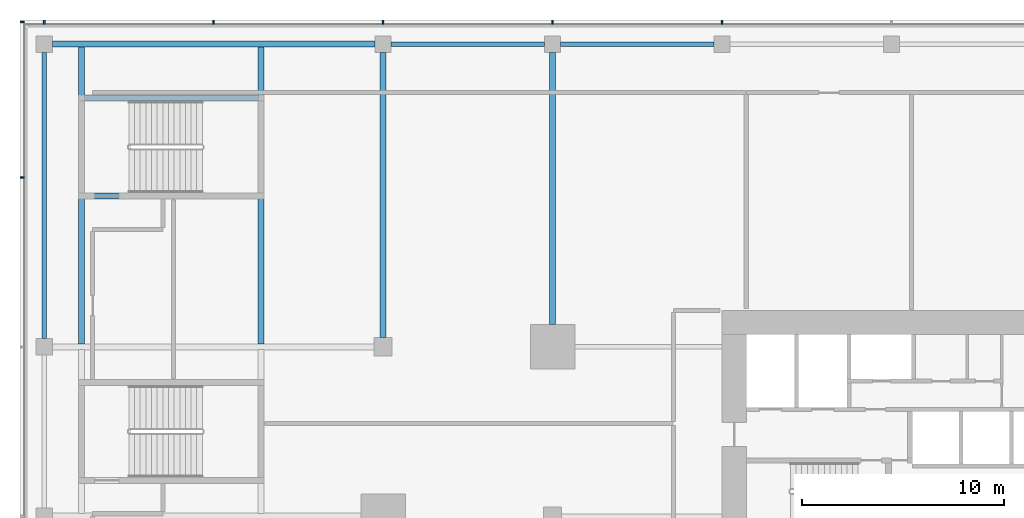
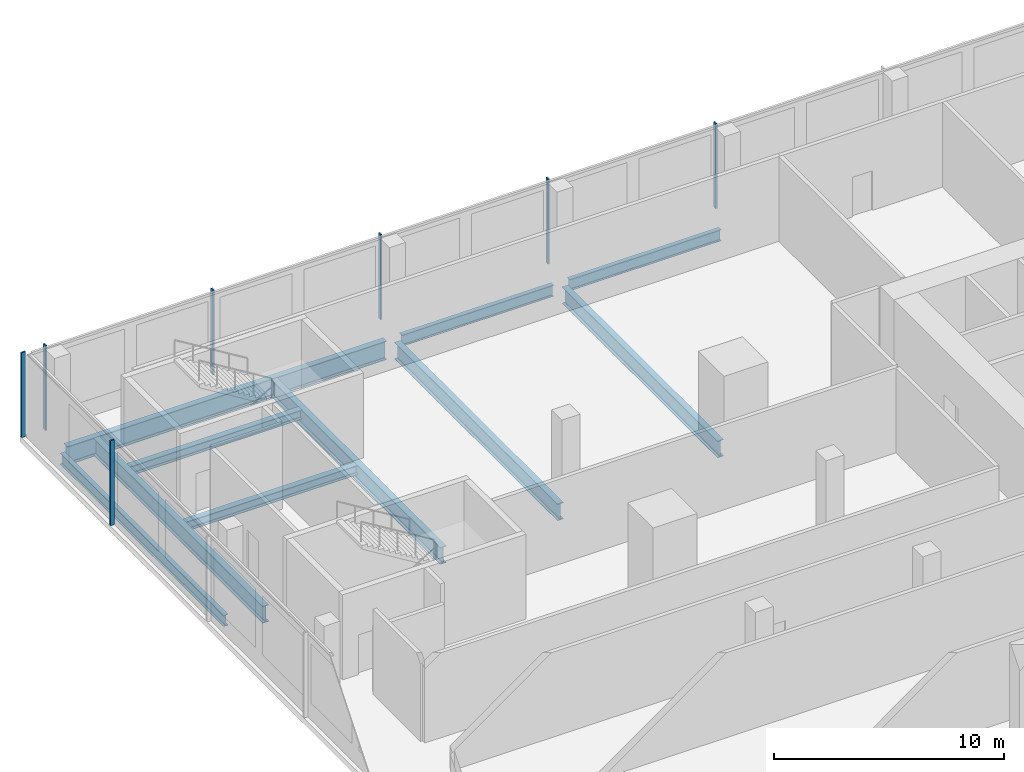
# One storey, part 17 of 39: 10 beams, 7 members, 2 elements without a shape of their own.
"""IFC4 building model written with IfcOpenShell, lengths in metres."""

from ifc_helpers import new_model, si_unit, direction, frame, origin, origin_2d, place, context, subcontext, project, spatial, rectangle, i_section, extrude, material, material_profile, profile_set, type_object, element, aggregate, save


model = new_model("IFC4")

# Units and contexts
model_context = context("Model", 3, precision=1e-05, world=origin(), true_north=direction((0.0, 1.0)))
body_context = subcontext(model_context, "Body", "Model", "MODEL_VIEW")
ifc_project = project(units=[si_unit("LENGTHUNIT", "METRE"), si_unit("AREAUNIT", "SQUARE_METRE"), si_unit("VOLUMEUNIT", "CUBIC_METRE"), si_unit("PLANEANGLEUNIT", "RADIAN"), si_unit("MASSUNIT", "GRAM", prefix="KILO")], contexts=[model_context])

# Site, building, storey
site_placement = place(None, origin())
site = spatial("IfcSite", under=ifc_project, at=site_placement, CompositionType="ELEMENT")
building_placement = place(site_placement, origin())
building = spatial("IfcBuilding", under=site, at=building_placement, Name="Saffron Gate Tower", CompositionType="ELEMENT")
storey_placement = place(building_placement, frame((0.0, 0.0, 14.39990234375)))
storey = spatial("IfcBuildingStorey", under=building, at=storey_placement, Name="L02", CompositionType="ELEMENT", Elevation=14.39990234375)

# Beams
ifc_material_1 = material(Name="Structural steel S355", Category="steel")
ifc_material_profile_1 = material_profile(ifc_material_1, i_section(OverallWidth=0.219970703125, OverallDepth=0.60009765625, WebThickness=0.011962890625, FlangeThickness=0.01904296875, FilletRadius=0.02392578125, at=origin_2d()))
ifc_profile_set_1 = profile_set([ifc_material_profile_1], Name="Structural steel S355")
beam_type_1 = type_object("IfcBeamType", Name="B15 IPE 600", PredefinedType="BEAM", material=ifc_profile_set_1)
beam_1_placement = place(storey_placement, frame((50.199951171875, 88.800048828125, -0.599853515625), z_axis=(1.0, 0.0, 0.0), x_axis=(0.0, 1.0, 0.0)))
element("IfcBeam", 1, at=beam_1_placement, inside=storey, type_object=beam_type_1, Name="B15 PODIUM EDGE BEAM", PredefinedType="BEAM", context=body_context, shape_type="SweptSolid", body=[
    extrude(i_section(OverallWidth=0.219970703125, OverallDepth=0.60009765625, WebThickness=0.011962890625, FlangeThickness=0.01904296875, FilletRadius=0.02392578125, at=origin_2d()), origin(), (0.0, 0.0, 1.0), 7.60009765625),
])
beam_2_placement = place(storey_placement, frame((58.60009765625, 88.800048828125, -0.599853515625), z_axis=(1.0, 0.0, 0.0), x_axis=(0.0, 1.0, 0.0)))
element("IfcBeam", 2, at=beam_2_placement, inside=storey, type_object=beam_type_1, Name="B15 PODIUM EDGE BEAM", PredefinedType="BEAM", context=body_context, shape_type="SweptSolid", body=[
    extrude(i_section(OverallWidth=0.219970703125, OverallDepth=0.60009765625, WebThickness=0.011962890625, FlangeThickness=0.01904296875, FilletRadius=0.02392578125, at=origin_2d()), origin(), (0.0, 0.0, 1.0), 7.599853515625),
])
beam_3_placement = place(storey_placement, frame((33.0, 74.199951171875, -0.599853515625), z_axis=(0.0, 1.0, 0.0), x_axis=(-1.0, 0.0, 0.0)))
element("IfcBeam", 3, at=beam_3_placement, inside=storey, type_object=beam_type_1, Name="B15 PODIUM EDGE BEAM", PredefinedType="BEAM", context=body_context, shape_type="SweptSolid", body=[
    extrude(i_section(OverallWidth=0.219970703125, OverallDepth=0.60009765625, WebThickness=0.011962890625, FlangeThickness=0.01904296875, FilletRadius=0.02392578125, at=origin_2d()), origin(), (0.0, 0.0, 1.0), 14.199951171875),
])
ifc_material_profile_2 = material_profile(ifc_material_1, i_section(OverallWidth=0.300048828125, OverallDepth=0.889892578125, WebThickness=0.01611328125, FlangeThickness=0.030029296875, FilletRadius=0.030029296875, at=origin_2d()))
ifc_profile_set_2 = profile_set([ifc_material_profile_2], Name="Structural steel S355")
beam_type_2 = type_object("IfcBeamType", Name="B19 HEA 900", PredefinedType="BEAM", material=ifc_profile_set_2)
beam_4_placement = place(storey_placement, frame((49.800048828125, 88.39990234375, -0.744873046875), z_axis=(0.0, -1.0, 0.0), x_axis=(1.0, 0.0, 0.0)))
element("IfcBeam", 4, at=beam_4_placement, inside=storey, type_object=beam_type_2, Name="B19 PODIUM RING GIRDER", PredefinedType="BEAM", context=body_context, shape_type="SweptSolid", body=[
    extrude(i_section(OverallWidth=0.300048828125, OverallDepth=0.889892578125, WebThickness=0.01611328125, FlangeThickness=0.030029296875, FilletRadius=0.030029296875, at=origin_2d()), origin(), (0.0, 0.0, 1.0), 14.14990234375),
])
beam_5_placement = place(storey_placement, frame((58.199951171875, 88.39990234375, -0.744873046875), z_axis=(0.0, -1.0, 0.0), x_axis=(1.0, 0.0, 0.0)))
element("IfcBeam", 5, at=beam_5_placement, inside=storey, type_object=beam_type_2, Name="B19 PODIUM RING GIRDER", PredefinedType="BEAM", context=body_context, shape_type="SweptSolid", body=[
    extrude(i_section(OverallWidth=0.300048828125, OverallDepth=0.889892578125, WebThickness=0.01611328125, FlangeThickness=0.030029296875, FilletRadius=0.030029296875, at=origin_2d()), origin(), (0.0, 0.0, 1.0), 13.5),
])
ifc_material_profile_3 = material_profile(ifc_material_1, i_section(OverallWidth=0.300048828125, OverallDepth=0.89990234375, WebThickness=0.0185546875, FlangeThickness=0.034912109375, FilletRadius=0.030029296875, at=origin_2d()))
ifc_profile_set_3 = profile_set([ifc_material_profile_3], Name="Structural steel S355")
beam_type_3 = type_object("IfcBeamType", Name="B20 HEB 900", PredefinedType="BEAM", material=ifc_profile_set_3)
for number, where, z_axis, x_axis, name in (
    (6, (34.85009765625, 73.93994140625, -0.75), (0.0, 1.0, 0.0), (-1.0, 0.0, 0.0), "B20 STAIR ENCLOSURE HEADER BEAM"),
    (7, (43.75, 73.93994140625, -0.75), (0.0, 1.0, 0.0), (-1.0, 0.0, 0.0), "B20 STAIR ENCLOSURE HEADER BEAM"),
):
    element("IfcBeam", number, at=place(storey_placement, frame(where, z_axis=z_axis, x_axis=x_axis)), inside=storey, type_object=beam_type_3, Name=name, PredefinedType="BEAM", context=body_context, shape_type="SweptSolid", body=[
        extrude(i_section(OverallWidth=0.300048828125, OverallDepth=0.89990234375, WebThickness=0.0185546875, FlangeThickness=0.034912109375, FilletRadius=0.030029296875, at=origin_2d()), origin(), (0.0, 0.0, 1.0), 14.719970703125),
    ])
ifc_material_profile_4 = material_profile(ifc_material_1, i_section(OverallWidth=0.300048828125, OverallDepth=0.989990234375, WebThickness=0.0166015625, FlangeThickness=0.031005859375, FilletRadius=0.030029296875, at=origin_2d()))
ifc_profile_set_4 = profile_set([ifc_material_profile_4], Name="Structural steel S355")
beam_type_4 = type_object("IfcBeamType", Name="B21 HEA 1000", PredefinedType="BEAM", material=ifc_profile_set_4)
beam_6_placement = place(storey_placement, frame((33.39990234375, 88.800048828125, -0.794921875), z_axis=(1.0, 0.0, 0.0), x_axis=(0.0, 1.0, 0.0)))
element("IfcBeam", 8, at=beam_6_placement, inside=storey, type_object=beam_type_4, Name="B21 PODIUM EDGE BEAM", PredefinedType="BEAM", context=body_context, shape_type="SweptSolid", body=[
    extrude(i_section(OverallWidth=0.300048828125, OverallDepth=0.989990234375, WebThickness=0.0166015625, FlangeThickness=0.031005859375, FilletRadius=0.030029296875, at=origin_2d()), origin(), (0.0, 0.0, 1.0), 16.0),
])
ifc_material_profile_5 = material_profile(ifc_material_1, i_section(OverallWidth=0.300048828125, OverallDepth=0.5, WebThickness=0.014404296875, FlangeThickness=0.028076171875, FilletRadius=0.027099609375, at=origin_2d()))
ifc_profile_set_5 = profile_set([ifc_material_profile_5], Name="Structural steel S355")
beam_type_5 = type_object("IfcBeamType", Name="B9 HEB 500", PredefinedType="BEAM", material=ifc_profile_set_5)
for number, where, z_axis, x_axis, name in (
    (9, (34.989990234375, 81.27490234375, -0.5498046875), (1.0, 0.0, 0.0), (0.0, 1.0, 0.0), "B9 STAIR ENCLOSURE TRIMMER BEAM"),
    (10, (34.989990234375, 86.125, -0.5498046875), (1.0, 0.0, 0.0), (0.0, 1.0, 0.0), "B9 STAIR ENCLOSURE TRIMMER BEAM"),
):
    element("IfcBeam", number, at=place(storey_placement, frame(where, z_axis=z_axis, x_axis=x_axis)), inside=storey, type_object=beam_type_5, Name=name, PredefinedType="BEAM", context=body_context, shape_type="SweptSolid", body=[
        extrude(i_section(OverallWidth=0.300048828125, OverallDepth=0.5, WebThickness=0.014404296875, FlangeThickness=0.028076171875, FilletRadius=0.027099609375, at=origin_2d()), origin(), (0.0, 0.0, 1.0), 8.6201171875),
    ])

# Curtain wall, members
ifc_material_2 = material(Name="Aluminium, bronze anodised", Category="aluminium")
curtain_wall_type = type_object("IfcCurtainWallType", Name="CWS5 curtain wall podium ring base", PredefinedType="NOTDEFINED", material=ifc_material_2)
curtain_wall_1_placement = place(storey_placement, origin())
curtain_wall_1 = element("IfcCurtainWall", 11, at=curtain_wall_1_placement, inside=storey, type_object=curtain_wall_type, Name="CWS5 run 3", PredefinedType="NOTDEFINED")
ifc_material_profile_6 = material_profile(ifc_material_2, rectangle(XDim=0.199951171875, YDim=0.080078125, at=origin_2d()))
ifc_profile_set_6 = profile_set([ifc_material_profile_6], Name="Aluminium, bronze anodised")
member_type = type_object("IfcMemberType", Name="CWS5 mullion 80x200", PredefinedType="MULLION", material=ifc_profile_set_6)
member_1_placement = place(storey_placement, frame((66.60009765625, 89.89990234375, 0.0), z_axis=(0.0, 0.0, 1.0), x_axis=(0.0, -1.0, 0.0)))
member_1 = element("IfcMember", 12, at=member_1_placement, type_object=member_type, Name="CWS5 mullion 11", PredefinedType="MULLION", context=body_context, shape_type="SweptSolid", body=[
    extrude(rectangle(XDim=0.199951171875, YDim=0.080078125, at=origin_2d()), origin(), (0.0, 0.0, 1.0), 4.5),
])
member_2_placement = place(storey_placement, frame((58.199951171875, 89.89990234375, 0.0), z_axis=(0.0, 0.0, 1.0), x_axis=(0.0, -1.0, 0.0)))
member_2 = element("IfcMember", 13, at=member_2_placement, type_object=member_type, Name="CWS5 mullion 12", PredefinedType="MULLION", context=body_context, shape_type="SweptSolid", body=[
    extrude(rectangle(XDim=0.199951171875, YDim=0.080078125, at=origin_2d()), origin(), (0.0, 0.0, 1.0), 4.5),
])
member_3_placement = place(storey_placement, frame((49.800048828125, 89.89990234375, 0.0), z_axis=(0.0, 0.0, 1.0), x_axis=(0.0, -1.0, 0.0)))
member_3 = element("IfcMember", 14, at=member_3_placement, type_object=member_type, Name="CWS5 mullion 13", PredefinedType="MULLION", context=body_context, shape_type="SweptSolid", body=[
    extrude(rectangle(XDim=0.199951171875, YDim=0.080078125, at=origin_2d()), origin(), (0.0, 0.0, 1.0), 4.5),
])
member_4_placement = place(storey_placement, frame((41.39990234375, 89.89990234375, 0.0), z_axis=(0.0, 0.0, 1.0), x_axis=(0.0, -1.0, 0.0)))
member_4 = element("IfcMember", 15, at=member_4_placement, type_object=member_type, Name="CWS5 mullion 14", PredefinedType="MULLION", context=body_context, shape_type="SweptSolid", body=[
    extrude(rectangle(XDim=0.199951171875, YDim=0.080078125, at=origin_2d()), origin(), (0.0, 0.0, 1.0), 4.5),
])
member_5_placement = place(storey_placement, frame((33.0, 89.89990234375, 0.0), z_axis=(0.0, 0.0, 1.0), x_axis=(0.0, -1.0, 0.0)))
member_5 = element("IfcMember", 16, at=member_5_placement, type_object=member_type, Name="CWS5 mullion 15", PredefinedType="MULLION", context=body_context, shape_type="SweptSolid", body=[
    extrude(rectangle(XDim=0.199951171875, YDim=0.080078125, at=origin_2d()), origin(), (0.0, 0.0, 1.0), 4.5),
])
aggregate(curtain_wall_1, [member_1, member_2, member_3, member_4, member_5])

curtain_wall_2_placement = place(storey_placement, origin())
curtain_wall_2 = element("IfcCurtainWall", 17, at=curtain_wall_2_placement, inside=storey, type_object=curtain_wall_type, Name="CWS5 run 4", PredefinedType="NOTDEFINED")
member_6_placement = place(storey_placement, frame((31.89990234375, 89.89990234375, 0.0), z_axis=(0.0, 0.0, 1.0), x_axis=(1.0, 0.0, 0.0)))
member_6 = element("IfcMember", 18, at=member_6_placement, type_object=member_type, Name="CWS5 mullion 1", PredefinedType="MULLION", context=body_context, shape_type="SweptSolid", body=[
    extrude(rectangle(XDim=0.199951171875, YDim=0.080078125, at=origin_2d()), origin(), (0.0, 0.0, 1.0), 4.5),
])
member_7_placement = place(storey_placement, frame((31.89990234375, 82.199951171875, 0.0), z_axis=(0.0, 0.0, 1.0), x_axis=(1.0, 0.0, 0.0)))
member_7 = element("IfcMember", 19, at=member_7_placement, type_object=member_type, Name="CWS5 mullion 2", PredefinedType="MULLION", context=body_context, shape_type="SweptSolid", body=[
    extrude(rectangle(XDim=0.199951171875, YDim=0.080078125, at=origin_2d()), origin(), (0.0, 0.0, 1.0), 4.5),
])
aggregate(curtain_wall_2, [member_6, member_7])

save(model, "model.ifc")
